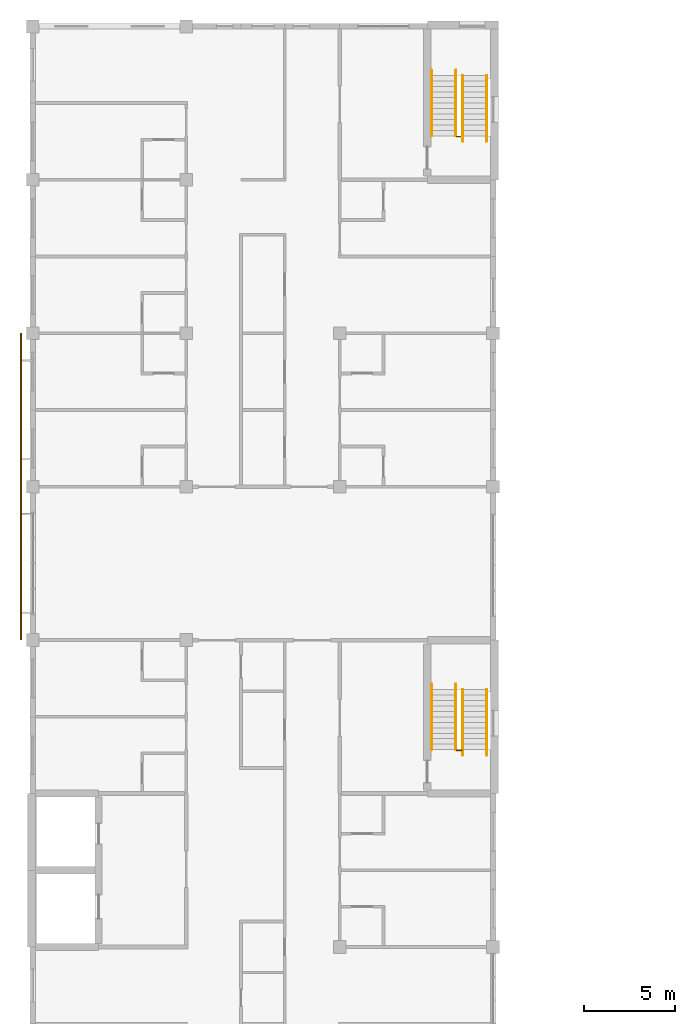
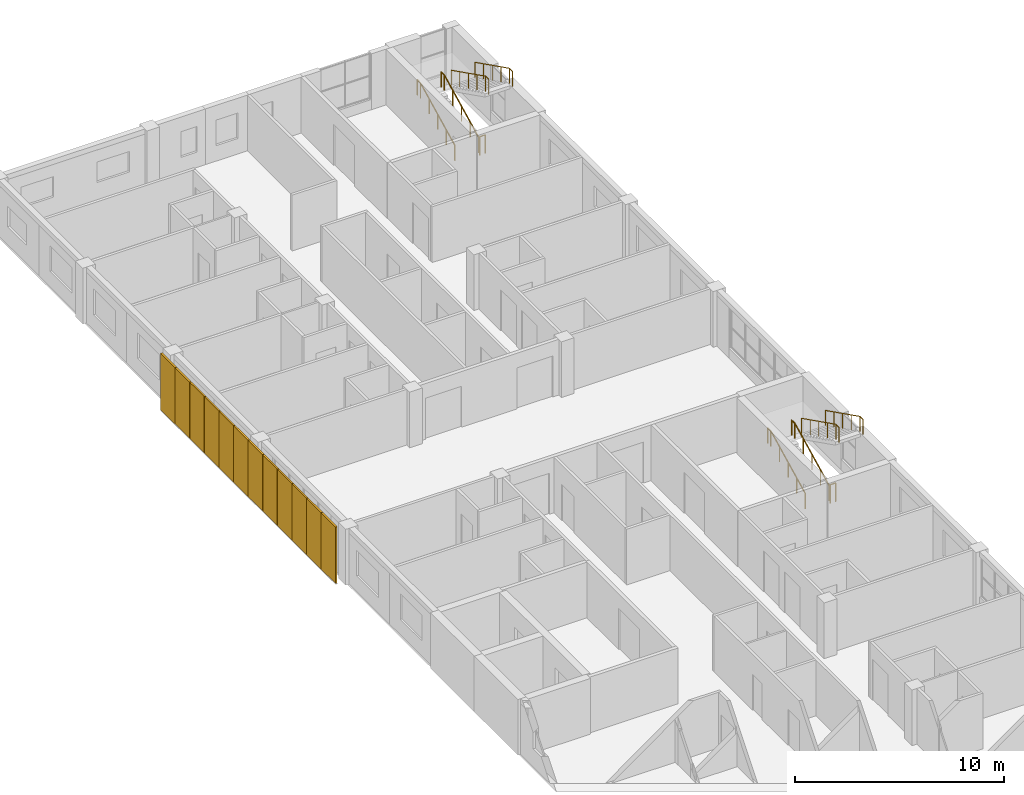
# One storey, part 44 of 45: 12 shading devices, 10 railings.
"""IFC4 building model written with IfcOpenShell, lengths in metres."""

from ifc_helpers import new_model, si_unit, direction, frame, origin, origin_2d, place, context, subcontext, project, spatial, rectangle, circle, extrude, material, layer, layer_set, type_object, element, save


model = new_model("IFC4")

# Units and contexts
model_context = context("Model", 3, precision=1e-05, world=origin(), true_north=direction((0.0, 1.0)))
body_context = subcontext(model_context, "Body", "Model", "MODEL_VIEW")
ifc_project = project(units=[si_unit("LENGTHUNIT", "METRE"), si_unit("AREAUNIT", "SQUARE_METRE"), si_unit("VOLUMEUNIT", "CUBIC_METRE"), si_unit("PLANEANGLEUNIT", "RADIAN"), si_unit("MASSUNIT", "GRAM", prefix="KILO")], contexts=[model_context])

# Site, building, storey
site_placement = place(None, origin())
site = spatial("IfcSite", under=ifc_project, at=site_placement, CompositionType="ELEMENT")
building_placement = place(site_placement, origin())
building = spatial("IfcBuilding", under=site, at=building_placement, Name="Yavir Park General Hospital", CompositionType="ELEMENT")
storey_placement = place(building_placement, frame((0.0, 0.0, 22.5)))
storey = spatial("IfcBuildingStorey", under=building, at=storey_placement, Name="L05", CompositionType="ELEMENT", Elevation=22.5)

# Shading devices
ifc_material_1 = material(Name="Precast concrete perforated block panel", Category="concrete")
ifc_layer = layer(ifc_material_1, 0.092041015625)
ifc_layer_set = layer_set([ifc_layer], Name="Precast concrete perforated block panel")
shading_device_type = type_object("IfcShadingDeviceType", Name="Precast breeze-block screen panel 1380 x 3300 x 92", PredefinedType="JALOUSIE", material=ifc_layer_set)
for number, where, z_axis, x_axis, name in (
    (1, (-0.64990234375, 84.699951171875, 0.0), (0.0, 0.0, 1.0), (1.0, 0.0, 0.0), "Screen panel W11.3.1"),
    (2, (-0.64990234375, 86.10009765625, 0.0), (0.0, 0.0, 1.0), (1.0, 0.0, 0.0), "Screen panel W11.3.2"),
    (3, (-0.64990234375, 87.5, 0.0), (0.0, 0.0, 1.0), (1.0, 0.0, 0.0), "Screen panel W11.3.3"),
    (4, (-0.64990234375, 88.89990234375, 0.0), (0.0, 0.0, 1.0), (1.0, 0.0, 0.0), "Screen panel W11.3.4"),
    (5, (-0.64990234375, 90.300048828125, 0.0), (0.0, 0.0, 1.0), (1.0, 0.0, 0.0), "Screen panel W11.3.5"),
    (6, (-0.64990234375, 91.699951171875, 0.0), (0.0, 0.0, 1.0), (1.0, 0.0, 0.0), "Screen panel W11.3.6"),
    (7, (-0.64990234375, 93.10009765625, 0.0), (0.0, 0.0, 1.0), (1.0, 0.0, 0.0), "Screen panel W12.3.1"),
    (8, (-0.64990234375, 94.5, 0.0), (0.0, 0.0, 1.0), (1.0, 0.0, 0.0), "Screen panel W12.3.2"),
    (9, (-0.64990234375, 95.89990234375, 0.0), (0.0, 0.0, 1.0), (1.0, 0.0, 0.0), "Screen panel W12.3.3"),
    (10, (-0.64990234375, 97.300048828125, 0.0), (0.0, 0.0, 1.0), (1.0, 0.0, 0.0), "Screen panel W12.3.4"),
    (11, (-0.64990234375, 98.699951171875, 0.0), (0.0, 0.0, 1.0), (1.0, 0.0, 0.0), "Screen panel W12.3.5"),
    (12, (-0.64990234375, 100.10009765625, 0.0), (0.0, 0.0, 1.0), (1.0, 0.0, 0.0), "Screen panel W12.3.6"),
):
    element("IfcShadingDevice", number, at=place(storey_placement, frame(where, z_axis=z_axis, x_axis=x_axis)), inside=storey, type_object=shading_device_type, Name=name, PredefinedType="JALOUSIE", context=body_context, shape_type="SweptSolid", body=[
        extrude(rectangle(XDim=0.092041015625, YDim=1.3798828125, at=origin_2d()), origin(), (0.0, 0.0, 1.0), 3.300048828125),
    ])

# Railings
ifc_material_2 = material(Name="Steel balustrade with infill rods", Category="steel")
railing_type_1 = type_object("IfcRailingType", Name="Stair guard, steel balustrade 1100 mm", PredefinedType="GUARDRAIL", material=ifc_material_2)
for number, where, name in (
    (13, (23.199951171875, 77.969970703125, 0.0), "Stair well guard SW2 L05"),
    (14, (23.199951171875, 111.570068359375, 0.0), "Stair well guard SW3 L05"),
):
    element("IfcRailing", number, at=place(storey_placement, frame(where)), inside=storey, type_object=railing_type_1, Name=name, PredefinedType="GUARDRAIL", context=body_context, shape_type="SweptSolid", body=[
        extrude(circle(Radius=0.02392578125, at=origin_2d()), frame((0.0, 0.0, 1.076171875), z_axis=(1.0, 0.0, 0.0), x_axis=(0.0, 1.0, 0.0)), (0.0, 0.0, 1.0), 0.300048828125),
        extrude(circle(Radius=0.02099609375, at=origin_2d()), origin(), (0.0, 0.0, 1.0), 1.052001953125),
        extrude(circle(Radius=0.02099609375, at=origin_2d()), frame((0.300048828125, 0.0, 0.0)), (0.0, 0.0, 1.0), 1.052001953125),
    ])
ifc_material_3 = material(Name="Stainless steel tube 48 mm", Category="steel")
railing_type_2 = type_object("IfcRailingType", Name="Stair handrail, steel tube, 900 mm above the nosings", PredefinedType="HANDRAIL", material=ifc_material_3)
for number, where, name in (
    (15, (21.840087890625, 78.0, 0.14990234375), "Handrail SW2 L05 1"),
    (16, (23.159912109375, 78.0, 0.14990234375), "Handrail SW2 L05 2"),
):
    element("IfcRailing", number, at=place(storey_placement, frame(where)), inside=storey, type_object=railing_type_2, Name=name, PredefinedType="HANDRAIL", context=body_context, shape_type="SweptSolid", body=[
        extrude(circle(Radius=0.02392578125, at=origin_2d()), frame((0.0, 0.0, 0.8759765625), z_axis=(0.0, 0.894413956696, 0.447240063129), x_axis=(-1.0, 0.0, 0.0)), (0.0, 0.0, 1.0), 3.689697265625),
        extrude(circle(Radius=0.02392578125, at=origin_2d()), frame((0.0, 3.300048828125, 2.52587890625), z_axis=(0.0, 1.0, 0.0), x_axis=(-1.0, 0.0, 0.0)), (0.0, 0.0, 1.0), 0.300048828125),
        extrude(circle(Radius=0.02099609375, at=origin_2d()), origin(), (0.0, 0.0, 1.0), 0.851806640625),
        extrude(circle(Radius=0.02099609375, at=origin_2d()), frame((0.0, 0.824951171875, 0.41259765625)), (0.0, 0.0, 1.0), 0.851806640625),
        extrude(circle(Radius=0.02099609375, at=origin_2d()), frame((0.0, 1.64990234375, 0.8251953125)), (0.0, 0.0, 1.0), 0.851806640625),
        extrude(circle(Radius=0.02099609375, at=origin_2d()), frame((0.0, 2.47509765625, 1.237548828125)), (0.0, 0.0, 1.0), 0.851806640625),
        extrude(circle(Radius=0.02099609375, at=origin_2d()), frame((0.0, 3.300048828125, 1.650146484375)), (0.0, 0.0, 1.0), 0.851806640625),
        extrude(circle(Radius=0.02099609375, at=origin_2d()), frame((0.0, 3.60009765625, 1.650146484375)), (0.0, 0.0, 1.0), 0.851806640625),
    ])
for number, where, name in (
    (17, (24.860107421875, 81.300048828125, 1.949951171875), "Handrail SW2 L05 3"),
    (18, (23.5400390625, 81.300048828125, 1.949951171875), "Handrail SW2 L05 4"),
):
    element("IfcRailing", number, at=place(storey_placement, frame(where)), inside=storey, type_object=railing_type_2, Name=name, PredefinedType="HANDRAIL", context=body_context, shape_type="SweptSolid", body=[
        extrude(circle(Radius=0.02392578125, at=origin_2d()), frame((0.0, 0.0, 0.8759765625), z_axis=(0.0, -0.894413956696, 0.447240063129), x_axis=(1.0, 0.0, 0.0)), (0.0, 0.0, 1.0), 3.689697265625),
        extrude(circle(Radius=0.02392578125, at=origin_2d()), frame((0.0, -3.300048828125, 2.52587890625), z_axis=(0.0, -1.0, 0.0), x_axis=(1.0, 0.0, 0.0)), (0.0, 0.0, 1.0), 0.300048828125),
        extrude(circle(Radius=0.02099609375, at=origin_2d()), origin(), (0.0, 0.0, 1.0), 0.851806640625),
        extrude(circle(Radius=0.02099609375, at=origin_2d()), frame((0.0, -0.824951171875, 0.41259765625)), (0.0, 0.0, 1.0), 0.851806640625),
        extrude(circle(Radius=0.02099609375, at=origin_2d()), frame((0.0, -1.64990234375, 0.8251953125)), (0.0, 0.0, 1.0), 0.851806640625),
        extrude(circle(Radius=0.02099609375, at=origin_2d()), frame((0.0, -2.47509765625, 1.237548828125)), (0.0, 0.0, 1.0), 0.851806640625),
        extrude(circle(Radius=0.02099609375, at=origin_2d()), frame((0.0, -3.300048828125, 1.650146484375)), (0.0, 0.0, 1.0), 0.851806640625),
        extrude(circle(Radius=0.02099609375, at=origin_2d()), frame((0.0, -3.60009765625, 1.650146484375)), (0.0, 0.0, 1.0), 0.851806640625),
    ])
for number, where, name in (
    (19, (21.840087890625, 111.60009765625, 0.14990234375), "Handrail SW3 L05 1"),
    (20, (23.159912109375, 111.60009765625, 0.14990234375), "Handrail SW3 L05 2"),
):
    element("IfcRailing", number, at=place(storey_placement, frame(where)), inside=storey, type_object=railing_type_2, Name=name, PredefinedType="HANDRAIL", context=body_context, shape_type="SweptSolid", body=[
        extrude(circle(Radius=0.02392578125, at=origin_2d()), frame((0.0, 0.0, 0.8759765625), z_axis=(0.0, 0.894400720042, 0.447266533499), x_axis=(-1.0, 0.0, 0.0)), (0.0, 0.0, 1.0), 3.689453125),
        extrude(circle(Radius=0.02392578125, at=origin_2d()), frame((0.0, 3.2998046875, 2.52587890625), z_axis=(0.0, 1.0, 0.0), x_axis=(-1.0, 0.0, 0.0)), (0.0, 0.0, 1.0), 0.300048828125),
        extrude(circle(Radius=0.02099609375, at=origin_2d()), origin(), (0.0, 0.0, 1.0), 0.851806640625),
        extrude(circle(Radius=0.02099609375, at=origin_2d()), frame((0.0, 0.824951171875, 0.41259765625)), (0.0, 0.0, 1.0), 0.851806640625),
        extrude(circle(Radius=0.02099609375, at=origin_2d()), frame((0.0, 1.64990234375, 0.8251953125)), (0.0, 0.0, 1.0), 0.851806640625),
        extrude(circle(Radius=0.02099609375, at=origin_2d()), frame((0.0, 2.474853515625, 1.237548828125)), (0.0, 0.0, 1.0), 0.851806640625),
        extrude(circle(Radius=0.02099609375, at=origin_2d()), frame((0.0, 3.2998046875, 1.650146484375)), (0.0, 0.0, 1.0), 0.851806640625),
        extrude(circle(Radius=0.02099609375, at=origin_2d()), frame((0.0, 3.599853515625, 1.650146484375)), (0.0, 0.0, 1.0), 0.851806640625),
    ])
for number, where, name in (
    (21, (24.860107421875, 114.89990234375, 1.949951171875), "Handrail SW3 L05 3"),
    (22, (23.5400390625, 114.89990234375, 1.949951171875), "Handrail SW3 L05 4"),
):
    element("IfcRailing", number, at=place(storey_placement, frame(where)), inside=storey, type_object=railing_type_2, Name=name, PredefinedType="HANDRAIL", context=body_context, shape_type="SweptSolid", body=[
        extrude(circle(Radius=0.02392578125, at=origin_2d()), frame((0.0, 0.0, 0.8759765625), z_axis=(0.0, -0.894400720042, 0.447266533499), x_axis=(1.0, 0.0, 0.0)), (0.0, 0.0, 1.0), 3.689453125),
        extrude(circle(Radius=0.02392578125, at=origin_2d()), frame((0.0, -3.2998046875, 2.52587890625), z_axis=(0.0, -1.0, 0.0), x_axis=(1.0, 0.0, 0.0)), (0.0, 0.0, 1.0), 0.300048828125),
        extrude(circle(Radius=0.02099609375, at=origin_2d()), origin(), (0.0, 0.0, 1.0), 0.851806640625),
        extrude(circle(Radius=0.02099609375, at=origin_2d()), frame((0.0, -0.824951171875, 0.41259765625)), (0.0, 0.0, 1.0), 0.851806640625),
        extrude(circle(Radius=0.02099609375, at=origin_2d()), frame((0.0, -1.64990234375, 0.8251953125)), (0.0, 0.0, 1.0), 0.851806640625),
        extrude(circle(Radius=0.02099609375, at=origin_2d()), frame((0.0, -2.474853515625, 1.237548828125)), (0.0, 0.0, 1.0), 0.851806640625),
        extrude(circle(Radius=0.02099609375, at=origin_2d()), frame((0.0, -3.2998046875, 1.650146484375)), (0.0, 0.0, 1.0), 0.851806640625),
        extrude(circle(Radius=0.02099609375, at=origin_2d()), frame((0.0, -3.599853515625, 1.650146484375)), (0.0, 0.0, 1.0), 0.851806640625),
    ])

save(model, "model.ifc")
